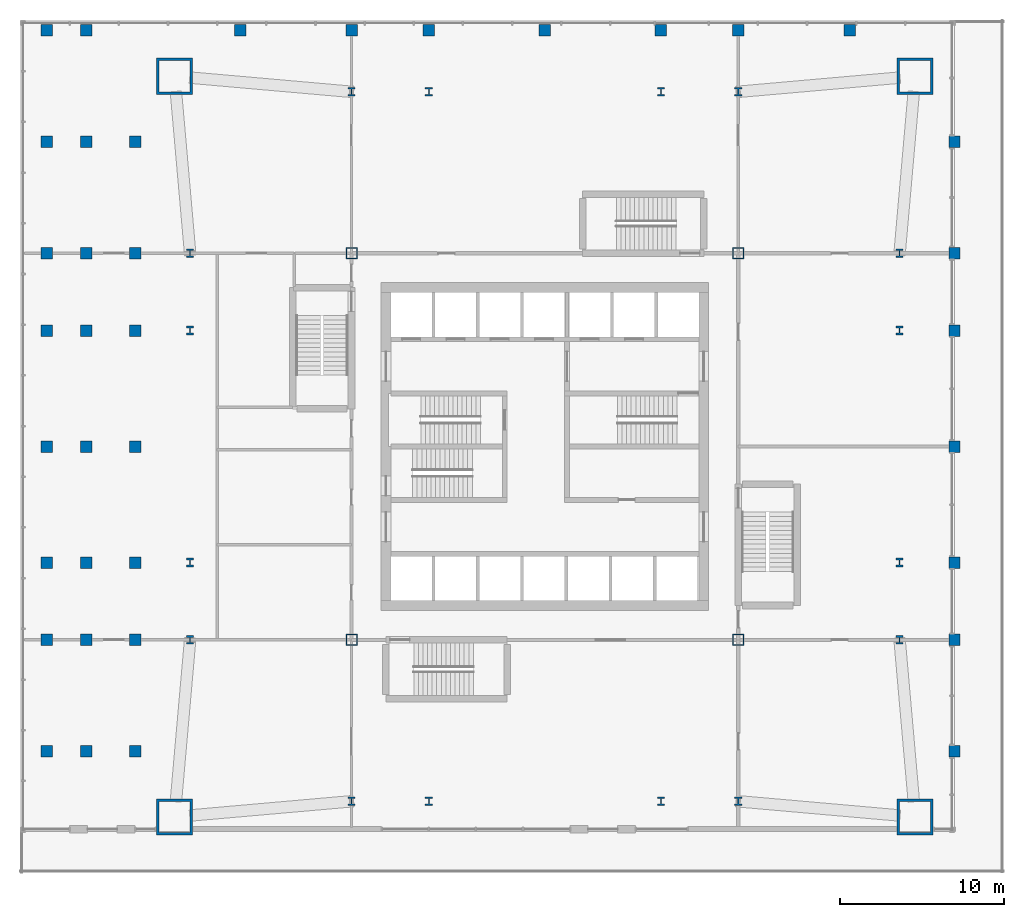
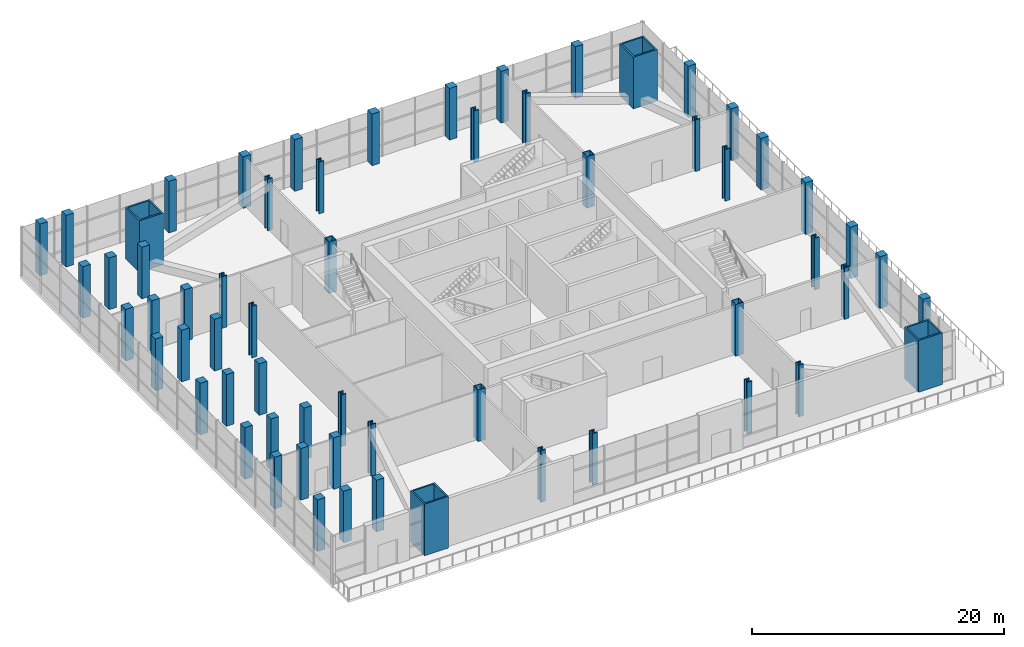
# One storey, part 1 of 12: 61 columns.
"""IFC4 building model written with IfcOpenShell, lengths in metres."""

import ifcopenshell
import ifcopenshell.guid

model = None  # the IFC model being written
_history = None  # IfcOwnerHistory: only IFC2X3 demands one
_inside = {}  # id of a spatial element -> (the spatial element, [elements in it])
_under = {}  # id of a project, library or spatial element -> (it, [spatial elements below it])
_declared = {}  # id of a project -> (the project, [libraries it declares])
_typed = {}  # id of a type object -> (the type object, [elements of that type])
_made_of = {}  # id of a material, layer set ... -> (it, [elements and type objects made of it])


def new_model(schema):
    """Start an empty IFC model of exactly this schema.

    Asked for "IFC4X3", IfcOpenShell would pick the latest addendum, in which some entities
    have other attributes; the version numbers below select the first issue.
    IFC2X3 requires an IfcOwnerHistory on every rooted entity: one is made here for all.
    """
    global model, _history
    if schema == "IFC4X3":
        model = ifcopenshell.file(schema_version=(4, 3, 0, 0))
    else:
        model = ifcopenshell.file(schema=schema)
    _inside.clear()
    _under.clear()
    _declared.clear()
    _typed.clear()
    _made_of.clear()
    _history = None
    if model.schema == "IFC2X3":
        org = make("IfcOrganization", Name="unknown")
        user = make(
            "IfcPersonAndOrganization",
            ThePerson=make("IfcPerson", FamilyName="unknown"),
            TheOrganization=org,
        )
        app = make(
            "IfcApplication",
            ApplicationDeveloper=org,
            Version="unknown",
            ApplicationFullName="unknown",
            ApplicationIdentifier="unknown",
        )
        _history = make(
            "IfcOwnerHistory",
            OwningUser=user,
            OwningApplication=app,
            ChangeAction="ADDED",
            CreationDate=0,
        )
    return model


def make(cls, **values):
    """One entity of the class cls with the attributes given. An attribute that is None is left unset."""
    return model.create_entity(
        cls, **{name: value for name, value in values.items() if value is not None}
    )


def rooted(cls, **values):
    """An entity with a GlobalId (a new one), such as an element, a storey or a relation."""
    return make(cls, GlobalId=ifcopenshell.guid.new(), OwnerHistory=_history, **values)


def si_unit(unit_type, name, prefix=None):
    """IfcSIUnit, for example si_unit("LENGTHUNIT", "METRE", prefix="MILLI")."""
    return make("IfcSIUnit", UnitType=unit_type, Prefix=prefix, Name=name)


def assignment(units):
    """IfcUnitAssignment: the units of a project."""
    return None if units is None else make("IfcUnitAssignment", Units=units)


def point(xyz):
    """IfcCartesianPoint."""
    return None if xyz is None else make("IfcCartesianPoint", Coordinates=xyz)


def direction(xyz):
    """IfcDirection."""
    return None if xyz is None else make("IfcDirection", DirectionRatios=xyz)


def frame(location, z_axis=None, x_axis=None):
    """IfcAxis2Placement3D, a coordinate frame: its origin and axes. An axis left out is left unset."""
    return make(
        "IfcAxis2Placement3D",
        Location=point(location),
        Axis=direction(z_axis),
        RefDirection=direction(x_axis),
    )


def frame_2d(location, x_axis=None):
    """IfcAxis2Placement2D, a coordinate frame in the plane: its origin and x axis."""
    return make(
        "IfcAxis2Placement2D", Location=point(location), RefDirection=direction(x_axis)
    )


def origin():
    """The frame at (0, 0, 0) with its axes left unset."""
    return frame((0.0, 0.0, 0.0))


def origin_2d():
    """The frame at (0, 0) in the plane with its x axis left unset."""
    return frame_2d((0.0, 0.0))


def place(relative_to, where):
    """IfcLocalPlacement: puts the frame where relative to a parent placement (None: the world)."""
    return make(
        "IfcLocalPlacement", PlacementRelTo=relative_to, RelativePlacement=where
    )


def context(
    kind, dimensions, precision=None, world=None, true_north=None, identifier=None
):
    """IfcGeometricRepresentationContext, for example the 3D "Model" context."""
    return make(
        "IfcGeometricRepresentationContext",
        ContextIdentifier=identifier,
        ContextType=kind,
        CoordinateSpaceDimension=dimensions,
        Precision=precision,
        WorldCoordinateSystem=world,
        TrueNorth=true_north,
    )


def subcontext(parent, identifier, kind, view, scale=None):
    """IfcGeometricRepresentationSubContext, for example "Body" below "Model"."""
    return make(
        "IfcGeometricRepresentationSubContext",
        ContextIdentifier=identifier,
        ContextType=kind,
        ParentContext=parent,
        TargetScale=scale,
        TargetView=view,
    )


def project(units=None, contexts=None):
    """IfcProject with its units and contexts."""
    return rooted(
        "IfcProject",
        Name="project",
        RepresentationContexts=contexts,
        UnitsInContext=assignment(units),
    )


def spatial(cls, under=None, at=None, **own):
    """A site, building, storey or space (cls), placed at a placement, below another one or the project."""
    s = rooted(cls, ObjectPlacement=at, **own)
    if under is not None:
        _under.setdefault(under.id(), (under, []))[1].append(s)
    return s


def profile(cls, at=None, kind="AREA", **sizes):
    """A parametric profile (cls). Its sizes go by their IFC names, for example OverallWidth=200.0."""
    return make(cls, ProfileType=kind, Position=at, **sizes)


def rectangle(**sizes):
    """IfcRectangleProfileDef."""
    return profile("IfcRectangleProfileDef", **sizes)


def hollow_rectangle(**sizes):
    """IfcRectangleHollowProfileDef."""
    return profile("IfcRectangleHollowProfileDef", **sizes)


def i_section(**sizes):
    """IfcIShapeProfileDef."""
    return profile("IfcIShapeProfileDef", **sizes)


def extrude(swept, where, along, depth):
    """IfcExtrudedAreaSolid: the profile swept, set in the frame where, extruded along a direction by depth."""
    return make(
        "IfcExtrudedAreaSolid",
        SweptArea=swept,
        Position=where,
        ExtrudedDirection=direction(along),
        Depth=depth,
    )


def shape(context_of_items, identifier, shape_type, items):
    """IfcShapeRepresentation: the items that make up one representation, for example the "Body"."""
    return make(
        "IfcShapeRepresentation",
        ContextOfItems=context_of_items,
        RepresentationIdentifier=identifier,
        RepresentationType=shape_type,
        Items=items,
    )


def material(Name=None, Category=None):
    """IfcMaterial."""
    return make("IfcMaterial", Name=Name, Category=Category)


def material_profile(
    of_material, cross_section, Name=None, Category=None, Priority=None
):
    """IfcMaterialProfile: a cross section and its material."""
    return make(
        "IfcMaterialProfile",
        Name=Name,
        Material=of_material,
        Profile=cross_section,
        Priority=Priority,
        Category=Category,
    )


def profile_set(profiles, Name=None, composite=None):
    """IfcMaterialProfileSet."""
    return make(
        "IfcMaterialProfileSet",
        Name=Name,
        MaterialProfiles=profiles,
        CompositeProfile=composite,
    )


def made_of(thing, what):
    """Note that an element or type object is made of a material, layer set ...; save() writes the relation."""
    if what is not None:
        _made_of.setdefault(what.id(), (what, []))[1].append(thing)
    return thing


def type_object(cls, material=None, **own):
    """A type object (cls), such as IfcWallType, which elements share."""
    return made_of(rooted(cls, **own), material)


def element(
    cls,
    number,
    at=None,
    inside=None,
    cuts=None,
    type_object=None,
    material=None,
    context=None,
    identifier="Body",
    shape_type=None,
    held_by="IfcProductDefinitionShape",
    body=None,
    shapes=None,
    **own,
):
    """One element of the class cls, such as IfcWall. Its Tag is "e" and its number.

    at: its placement. inside: the storey or other place that contains it. cuts: it is an
    opening in that element (IfcRelVoidsElement). A single representation is given by context,
    identifier, shape_type and body (its items); several are given by shapes. held_by: the class
    of the entity that holds the representations. save() writes the other relations.
    """
    e = rooted(cls, Tag="e%d" % number, ObjectPlacement=at, **own)
    if body is not None:
        shapes = [shape(context, identifier, shape_type, body)]
    if shapes is not None:
        e.Representation = make(held_by, Representations=shapes)
    if inside is not None:
        _inside.setdefault(inside.id(), (inside, []))[1].append(e)
    if cuts is not None:
        rooted(
            "IfcRelVoidsElement", RelatingBuildingElement=cuts, RelatedOpeningElement=e
        )
    if type_object is not None:
        _typed.setdefault(type_object.id(), (type_object, []))[1].append(e)
    return made_of(e, material)


def aggregate(whole, parts):
    """IfcRelAggregates: a whole, such as a stair, and the parts it consists of."""
    return rooted("IfcRelAggregates", RelatingObject=whole, RelatedObjects=parts)


def save(model, path):
    """Write the relations noted so far, then the file.

    IfcRelAggregates (storeys below a building ...), IfcRelContainedInSpatialStructure (elements
    in a storey), IfcRelDefinesByType, IfcRelAssociatesMaterial and IfcRelDeclares: one each for
    every whole, place, type object, material and project.
    """
    for whole, parts in _under.values():
        aggregate(whole, parts)
    for where, things in _inside.values():
        rooted(
            "IfcRelContainedInSpatialStructure",
            RelatedElements=things,
            RelatingStructure=where,
        )
    for kind, things in _typed.values():
        rooted("IfcRelDefinesByType", RelatedObjects=things, RelatingType=kind)
    for what, things in _made_of.values():
        rooted("IfcRelAssociatesMaterial", RelatedObjects=things, RelatingMaterial=what)
    for by, libraries in _declared.values():
        rooted("IfcRelDeclares", RelatingContext=by, RelatedDefinitions=libraries)
    model.write(path)


model = new_model("IFC4")

# Units and contexts
model_context = context("Model", 3, precision=1e-05, world=origin(), true_north=direction((0.0, 1.0)))
body_context = subcontext(model_context, "Body", "Model", "MODEL_VIEW")
ifc_project = project(units=[si_unit("LENGTHUNIT", "METRE"), si_unit("AREAUNIT", "SQUARE_METRE"), si_unit("VOLUMEUNIT", "CUBIC_METRE"), si_unit("PLANEANGLEUNIT", "RADIAN"), si_unit("MASSUNIT", "GRAM", prefix="KILO")], contexts=[model_context])

# Site, building, storey
site_placement = place(None, origin())
site = spatial("IfcSite", under=ifc_project, at=site_placement, CompositionType="ELEMENT")
building_placement = place(site_placement, origin())
building = spatial("IfcBuilding", under=site, at=building_placement, Name="Turquesa Mirador Hotel Tower", CompositionType="ELEMENT")
storey_placement = place(building_placement, frame((0.0, 0.0, 11.0)))
storey = spatial("IfcBuildingStorey", under=building, at=storey_placement, Name="L02", CompositionType="ELEMENT", Elevation=11.0)

# Columns
ifc_material_1 = material(Name="Steel ASTM A572 Grade 50", Category="steel")
ifc_material_profile_1 = material_profile(ifc_material_1, hollow_rectangle(XDim=0.699951171875, YDim=0.699951171875, WallThickness=0.06005859375, at=origin_2d()), Name="BOX700X700X60")
ifc_profile_set_1 = profile_set([ifc_material_profile_1], Name="Steel ASTM A572 Grade 50")
column_type_1 = type_object("IfcColumnType", Name="COLUMN BOX700X700X60", PredefinedType="COLUMN", material=ifc_profile_set_1)
for number, where, z_axis, x_axis, name in (
    (1, (43.199951171875, 33.199951171875, 0.0), (0.0, 0.0, 1.0), (1.0, 0.0, 0.0), "COL-L02-K--11.80--11.80"),
    (2, (43.199951171875, 56.800048828125, 0.0), (0.0, 0.0, 1.0), (1.0, 0.0, 0.0), "COL-L02-K--11.80-+11.80"),
    (3, (66.800048828125, 33.199951171875, 0.0), (0.0, 0.0, 1.0), (1.0, 0.0, 0.0), "COL-L02-K-+11.80--11.80"),
    (4, (66.800048828125, 56.800048828125, 0.0), (0.0, 0.0, 1.0), (1.0, 0.0, 0.0), "COL-L02-K-+11.80-+11.80"),
):
    element("IfcColumn", number, at=place(storey_placement, frame(where, z_axis=z_axis, x_axis=x_axis)), inside=storey, type_object=column_type_1, Name=name, PredefinedType="COLUMN", context=body_context, shape_type="SweptSolid", body=[
        extrude(hollow_rectangle(XDim=0.699951171875, YDim=0.699951171875, WallThickness=0.06005859375, at=origin_2d()), origin(), (0.0, 0.0, 1.0), 5.0),
    ])
ifc_material_2 = material(Name="Steel ASTM A992 Grade 50", Category="steel")
ifc_material_profile_2 = material_profile(ifc_material_2, i_section(OverallWidth=0.44189453125, OverallDepth=0.53076171875, WebThickness=0.06591796875, FlangeThickness=0.105712890625, at=origin_2d()), Name="W14X605")
ifc_profile_set_2 = profile_set([ifc_material_profile_2], Name="Steel ASTM A992 Grade 50")
column_type_2 = type_object("IfcColumnType", Name="COLUMN W14X605", PredefinedType="COLUMN", material=ifc_profile_set_2)
for number, where, z_axis, x_axis, name in (
    (5, (33.35009765625, 33.199951171875, 0.0), (0.0, 0.0, 1.0), (1.0, 0.0, 0.0), "COL-L02-P--21.65--11.80"),
    (6, (33.35009765625, 37.919921875, 0.0), (0.0, 0.0, 1.0), (1.0, 0.0, 0.0), "COL-L02-P--21.65--7.08"),
    (7, (33.35009765625, 52.080078125, 0.0), (0.0, 0.0, 1.0), (1.0, 0.0, 0.0), "COL-L02-P--21.65-+7.08"),
    (8, (33.35009765625, 56.800048828125, 0.0), (0.0, 0.0, 1.0), (1.0, 0.0, 0.0), "COL-L02-P--21.65-+11.80"),
    (9, (43.199951171875, 23.35009765625, 0.0), (0.0, 0.0, 1.0), (1.0, 0.0, 0.0), "COL-L02-P--11.80--21.65"),
    (10, (43.199951171875, 66.64990234375, 0.0), (0.0, 0.0, 1.0), (1.0, 0.0, 0.0), "COL-L02-P--11.80-+21.65"),
    (11, (47.919921875, 23.35009765625, 0.0), (0.0, 0.0, 1.0), (1.0, 0.0, 0.0), "COL-L02-P--7.08--21.65"),
    (12, (47.919921875, 66.64990234375, 0.0), (0.0, 0.0, 1.0), (1.0, 0.0, 0.0), "COL-L02-P--7.08-+21.65"),
    (13, (62.080078125, 23.35009765625, 0.0), (0.0, 0.0, 1.0), (1.0, 0.0, 0.0), "COL-L02-P-+7.08--21.65"),
    (14, (62.080078125, 66.64990234375, 0.0), (0.0, 0.0, 1.0), (1.0, 0.0, 0.0), "COL-L02-P-+7.08-+21.65"),
    (15, (66.800048828125, 23.35009765625, 0.0), (0.0, 0.0, 1.0), (1.0, 0.0, 0.0), "COL-L02-P-+11.80--21.65"),
    (16, (66.800048828125, 66.64990234375, 0.0), (0.0, 0.0, 1.0), (1.0, 0.0, 0.0), "COL-L02-P-+11.80-+21.65"),
    (17, (76.64990234375, 33.199951171875, 0.0), (0.0, 0.0, 1.0), (1.0, 0.0, 0.0), "COL-L02-P-+21.65--11.80"),
    (18, (76.64990234375, 37.919921875, 0.0), (0.0, 0.0, 1.0), (1.0, 0.0, 0.0), "COL-L02-P-+21.65--7.08"),
    (19, (76.64990234375, 52.080078125, 0.0), (0.0, 0.0, 1.0), (1.0, 0.0, 0.0), "COL-L02-P-+21.65-+7.08"),
    (20, (76.64990234375, 56.800048828125, 0.0), (0.0, 0.0, 1.0), (1.0, 0.0, 0.0), "COL-L02-P-+21.65-+11.80"),
):
    element("IfcColumn", number, at=place(storey_placement, frame(where, z_axis=z_axis, x_axis=x_axis)), inside=storey, type_object=column_type_2, Name=name, PredefinedType="COLUMN", context=body_context, shape_type="SweptSolid", body=[
        extrude(i_section(OverallWidth=0.44189453125, OverallDepth=0.53076171875, WebThickness=0.06591796875, FlangeThickness=0.105712890625, at=origin_2d()), origin(), (0.0, 0.0, 1.0), 5.0),
    ])
ifc_material_3 = material(Name="Steel ASTM A514 Grade Q", Category="steel")
ifc_material_profile_3 = material_profile(ifc_material_3, hollow_rectangle(XDim=2.199951171875, YDim=2.199951171875, WallThickness=0.14990234375, at=origin_2d()), Name="BOX2200X2200X150")
ifc_profile_set_3 = profile_set([ifc_material_profile_3], Name="Steel ASTM A514 Grade Q")
column_type_3 = type_object("IfcColumnType", Name="MEGA COLUMN BOX2200X2200X150", PredefinedType="COLUMN", material=ifc_profile_set_3)
for number, where, z_axis, x_axis, name in (
    (21, (77.60009765625, 67.60009765625, 0.0), (0.0, 0.0, 1.0), (1.0, 0.0, 0.0), "Mega column M1"),
    (22, (32.39990234375, 67.60009765625, 0.0), (0.0, 0.0, 1.0), (1.0, 0.0, 0.0), "Mega column M2"),
    (23, (32.39990234375, 22.39990234375, 0.0), (0.0, 0.0, 1.0), (1.0, 0.0, 0.0), "Mega column M3"),
    (24, (77.60009765625, 22.39990234375, 0.0), (0.0, 0.0, 1.0), (1.0, 0.0, 0.0), "Mega column M4"),
):
    element("IfcColumn", number, at=place(storey_placement, frame(where, z_axis=z_axis, x_axis=x_axis)), inside=storey, type_object=column_type_3, Name=name, PredefinedType="COLUMN", context=body_context, shape_type="SweptSolid", body=[
        extrude(hollow_rectangle(XDim=2.199951171875, YDim=2.199951171875, WallThickness=0.14990234375, at=origin_2d()), origin(), (0.0, 0.0, 1.0), 5.0),
    ])
ifc_material_4 = material(Name="Concrete C50/60", Category="concrete")
ifc_material_profile_4 = material_profile(ifc_material_4, rectangle(XDim=0.699951171875, YDim=0.699951171875, at=origin_2d()), Name="RC 700X700")
ifc_profile_set_4 = profile_set([ifc_material_profile_4], Name="Concrete C50/60")
column_type_4 = type_object("IfcColumnType", Name="PODIUM COLUMN 700X700", PredefinedType="COLUMN", material=ifc_profile_set_4)
for number, where, z_axis, x_axis, name in (
    (25, (24.60009765625, 26.39990234375, 0.0), (0.0, 0.0, 1.0), (1.0, 0.0, 0.0), "PCOL-L02--30.40--18.60"),
    (26, (24.60009765625, 33.199951171875, 0.0), (0.0, 0.0, 1.0), (1.0, 0.0, 0.0), "PCOL-L02--30.40--11.80"),
    (27, (24.60009765625, 37.919921875, 0.0), (0.0, 0.0, 1.0), (1.0, 0.0, 0.0), "PCOL-L02--30.40--7.08"),
    (28, (24.60009765625, 45.0, 0.0), (0.0, 0.0, 1.0), (1.0, 0.0, 0.0), "PCOL-L02--30.40-+0.00"),
    (29, (24.60009765625, 52.080078125, 0.0), (0.0, 0.0, 1.0), (1.0, 0.0, 0.0), "PCOL-L02--30.40-+7.08"),
    (30, (24.60009765625, 56.800048828125, 0.0), (0.0, 0.0, 1.0), (1.0, 0.0, 0.0), "PCOL-L02--30.40-+11.80"),
    (31, (24.60009765625, 63.60009765625, 0.0), (0.0, 0.0, 1.0), (1.0, 0.0, 0.0), "PCOL-L02--30.40-+18.60"),
    (32, (24.60009765625, 70.39990234375, 0.0), (0.0, 0.0, 1.0), (1.0, 0.0, 0.0), "PCOL-L02--30.40-+25.40"),
    (33, (27.0, 26.39990234375, 0.0), (0.0, 0.0, 1.0), (1.0, 0.0, 0.0), "PCOL-L02--28.00--18.60"),
    (34, (27.0, 33.199951171875, 0.0), (0.0, 0.0, 1.0), (1.0, 0.0, 0.0), "PCOL-L02--28.00--11.80"),
    (35, (27.0, 37.919921875, 0.0), (0.0, 0.0, 1.0), (1.0, 0.0, 0.0), "PCOL-L02--28.00--7.08"),
    (36, (27.0, 45.0, 0.0), (0.0, 0.0, 1.0), (1.0, 0.0, 0.0), "PCOL-L02--28.00-+0.00"),
    (37, (27.0, 52.080078125, 0.0), (0.0, 0.0, 1.0), (1.0, 0.0, 0.0), "PCOL-L02--28.00-+7.08"),
    (38, (27.0, 56.800048828125, 0.0), (0.0, 0.0, 1.0), (1.0, 0.0, 0.0), "PCOL-L02--28.00-+11.80"),
    (39, (27.0, 63.60009765625, 0.0), (0.0, 0.0, 1.0), (1.0, 0.0, 0.0), "PCOL-L02--28.00-+18.60"),
    (40, (27.0, 70.39990234375, 0.0), (0.0, 0.0, 1.0), (1.0, 0.0, 0.0), "PCOL-L02--28.00-+25.40"),
    (41, (30.0, 26.39990234375, 0.0), (0.0, 0.0, 1.0), (1.0, 0.0, 0.0), "PCOL-L02--25.00--18.60"),
    (42, (30.0, 33.199951171875, 0.0), (0.0, 0.0, 1.0), (1.0, 0.0, 0.0), "PCOL-L02--25.00--11.80"),
    (43, (30.0, 37.919921875, 0.0), (0.0, 0.0, 1.0), (1.0, 0.0, 0.0), "PCOL-L02--25.00--7.08"),
    (44, (30.0, 45.0, 0.0), (0.0, 0.0, 1.0), (1.0, 0.0, 0.0), "PCOL-L02--25.00-+0.00"),
    (45, (30.0, 52.080078125, 0.0), (0.0, 0.0, 1.0), (1.0, 0.0, 0.0), "PCOL-L02--25.00-+7.08"),
    (46, (30.0, 56.800048828125, 0.0), (0.0, 0.0, 1.0), (1.0, 0.0, 0.0), "PCOL-L02--25.00-+11.80"),
    (47, (30.0, 63.60009765625, 0.0), (0.0, 0.0, 1.0), (1.0, 0.0, 0.0), "PCOL-L02--25.00-+18.60"),
    (48, (36.39990234375, 70.39990234375, 0.0), (0.0, 0.0, 1.0), (1.0, 0.0, 0.0), "PCOL-L02--18.60-+25.40"),
    (49, (43.199951171875, 70.39990234375, 0.0), (0.0, 0.0, 1.0), (1.0, 0.0, 0.0), "PCOL-L02--11.80-+25.40"),
    (50, (47.919921875, 70.39990234375, 0.0), (0.0, 0.0, 1.0), (1.0, 0.0, 0.0), "PCOL-L02--7.08-+25.40"),
    (51, (55.0, 70.39990234375, 0.0), (0.0, 0.0, 1.0), (1.0, 0.0, 0.0), "PCOL-L02-+0.00-+25.40"),
    (52, (62.080078125, 70.39990234375, 0.0), (0.0, 0.0, 1.0), (1.0, 0.0, 0.0), "PCOL-L02-+7.08-+25.40"),
    (53, (66.800048828125, 70.39990234375, 0.0), (0.0, 0.0, 1.0), (1.0, 0.0, 0.0), "PCOL-L02-+11.80-+25.40"),
    (54, (73.60009765625, 70.39990234375, 0.0), (0.0, 0.0, 1.0), (1.0, 0.0, 0.0), "PCOL-L02-+18.60-+25.40"),
    (55, (80.0, 26.39990234375, 0.0), (0.0, 0.0, 1.0), (1.0, 0.0, 0.0), "PCOL-L02-+25.00--18.60"),
    (56, (80.0, 33.199951171875, 0.0), (0.0, 0.0, 1.0), (1.0, 0.0, 0.0), "PCOL-L02-+25.00--11.80"),
    (57, (80.0, 37.919921875, 0.0), (0.0, 0.0, 1.0), (1.0, 0.0, 0.0), "PCOL-L02-+25.00--7.08"),
    (58, (80.0, 45.0, 0.0), (0.0, 0.0, 1.0), (1.0, 0.0, 0.0), "PCOL-L02-+25.00-+0.00"),
    (59, (80.0, 52.080078125, 0.0), (0.0, 0.0, 1.0), (1.0, 0.0, 0.0), "PCOL-L02-+25.00-+7.08"),
    (60, (80.0, 56.800048828125, 0.0), (0.0, 0.0, 1.0), (1.0, 0.0, 0.0), "PCOL-L02-+25.00-+11.80"),
    (61, (80.0, 63.60009765625, 0.0), (0.0, 0.0, 1.0), (1.0, 0.0, 0.0), "PCOL-L02-+25.00-+18.60"),
):
    element("IfcColumn", number, at=place(storey_placement, frame(where, z_axis=z_axis, x_axis=x_axis)), inside=storey, type_object=column_type_4, Name=name, PredefinedType="COLUMN", context=body_context, shape_type="SweptSolid", body=[
        extrude(rectangle(XDim=0.699951171875, YDim=0.699951171875, at=origin_2d()), origin(), (0.0, 0.0, 1.0), 5.0),
    ])

save(model, "model.ifc")
